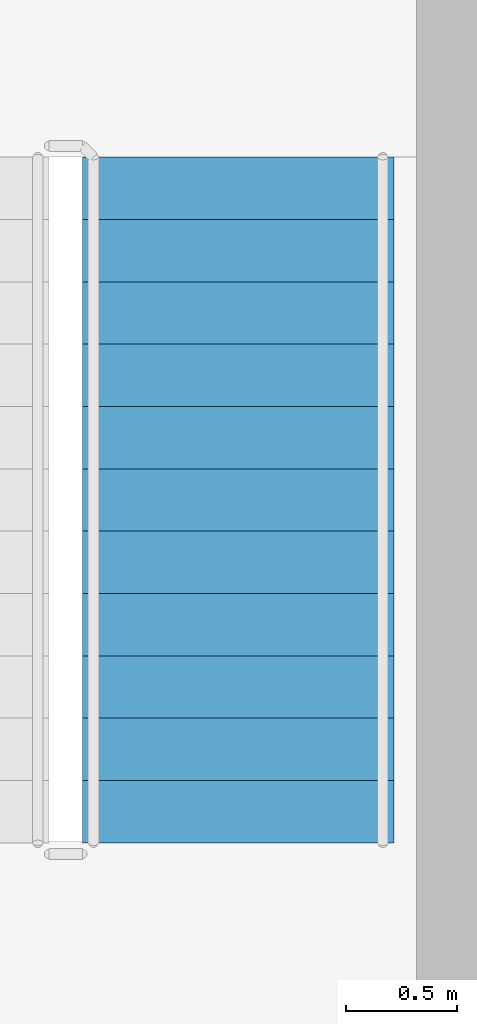
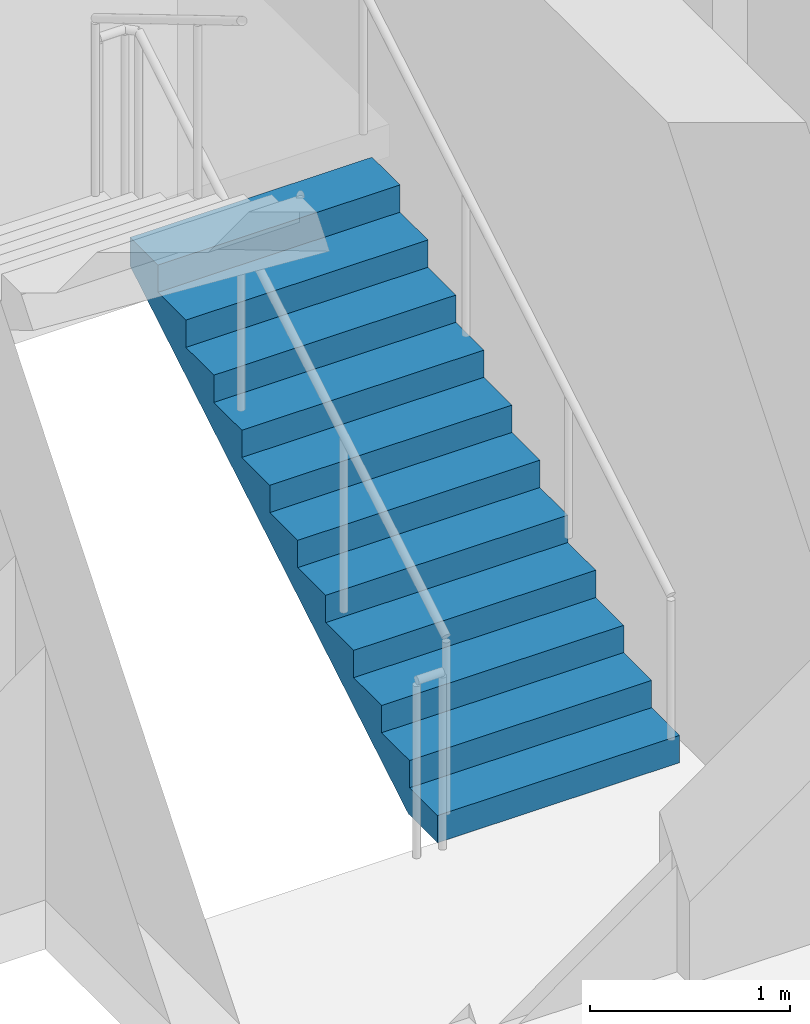
# One storey, part 11 of 14: 1 stair flight, 1 element without a shape of its own.
"""IFC4 building model written with IfcOpenShell, lengths in metres."""

from ifc_helpers import new_model, si_unit, direction, frame, origin, place, context, subcontext, project, spatial, polyline, outline, extrude, material, type_object, element, aggregate, save


model = new_model("IFC4")

# Units and contexts
model_context = context("Model", 3, precision=1e-05, world=origin(), true_north=direction((0.0, 1.0)))
body_context = subcontext(model_context, "Body", "Model", "MODEL_VIEW")
ifc_project = project(units=[si_unit("LENGTHUNIT", "METRE"), si_unit("AREAUNIT", "SQUARE_METRE"), si_unit("VOLUMEUNIT", "CUBIC_METRE"), si_unit("PLANEANGLEUNIT", "RADIAN"), si_unit("MASSUNIT", "GRAM", prefix="KILO")], contexts=[model_context])

# Site, building, storey
site_placement = place(None, origin())
site = spatial("IfcSite", under=ifc_project, at=site_placement, CompositionType="ELEMENT")
building_placement = place(site_placement, origin())
building = spatial("IfcBuilding", under=site, at=building_placement, Name="Mopane Tessera Tower", CompositionType="ELEMENT")
storey_placement = place(building_placement, frame((0.0, 0.0, 197.0)))
storey = spatial("IfcBuildingStorey", under=building, at=storey_placement, Name="L41", CompositionType="ELEMENT", Elevation=197.0)

# Stair, stair flight
ifc_material_1 = material(Name="Concrete C50/60", Category="concrete")
stair_type = type_object("IfcStairType", Name="Escape stair 1400 mm, riser 167 mm", PredefinedType="HALF_TURN_STAIR", material=ifc_material_1)
stair_placement = place(storey_placement, origin())
stair = element("IfcStair", 1, at=stair_placement, inside=storey, type_object=stair_type, Name="L41 Escape stair north-east", PredefinedType="HALF_TURN_STAIR")
ifc_material_2 = material(Name="Concrete C50/60", Category="concrete")
stair_flight_type = type_object("IfcStairFlightType", Name="Escape stair flight 1400 mm", PredefinedType="STRAIGHT", material=ifc_material_2)
stair_flight_placement = place(storey_placement, frame((13.0, 7.699951171875, 0.0), z_axis=(0.0, 0.0, 1.0), x_axis=(0.0, 1.0, 0.0)))
stair_flight = element("IfcStairFlight", 2, at=stair_flight_placement, type_object=stair_flight_type, Name="ST4 flight 1", NumberOfRisers=12, NumberOfTreads=11, PredefinedType="STRAIGHT", RiserHeight=0.166666667, TreadLength=0.28, context=body_context, shape_type="SweptSolid", body=[
    extrude(outline(polyline([(0.0, 0.0), (0.0, 0.166748046875), (0.280029296875, 0.166748046875), (0.280029296875, 0.333251953125), (0.56005859375, 0.333251953125), (0.56005859375, 0.5), (0.840087890625, 0.5), (0.840087890625, 0.666748046875), (1.1201171875, 0.666748046875), (1.1201171875, 0.833251953125), (1.39990234375, 0.833251953125), (1.39990234375, 1.0), (1.679931640625, 1.0), (1.679931640625, 1.166748046875), (1.9599609375, 1.166748046875), (1.9599609375, 1.333251953125), (2.239990234375, 1.333251953125), (2.239990234375, 1.5), (2.52001953125, 1.5), (2.52001953125, 1.666748046875), (2.800048828125, 1.666748046875), (2.800048828125, 1.833251953125), (3.080078125, 1.833251953125), (3.080078125, 2.0), (3.080078125, 1.658935546875), (0.29296875, 0.0), (0.0, 0.0)])), frame((0.0, 0.699951171875, 0.0), z_axis=(0.0, -1.0, 0.0), x_axis=(1.0, 0.0, 0.0)), (0.0, 0.0, 1.0), 1.39990234375),
])
aggregate(stair, [stair_flight])

save(model, "model.ifc")
